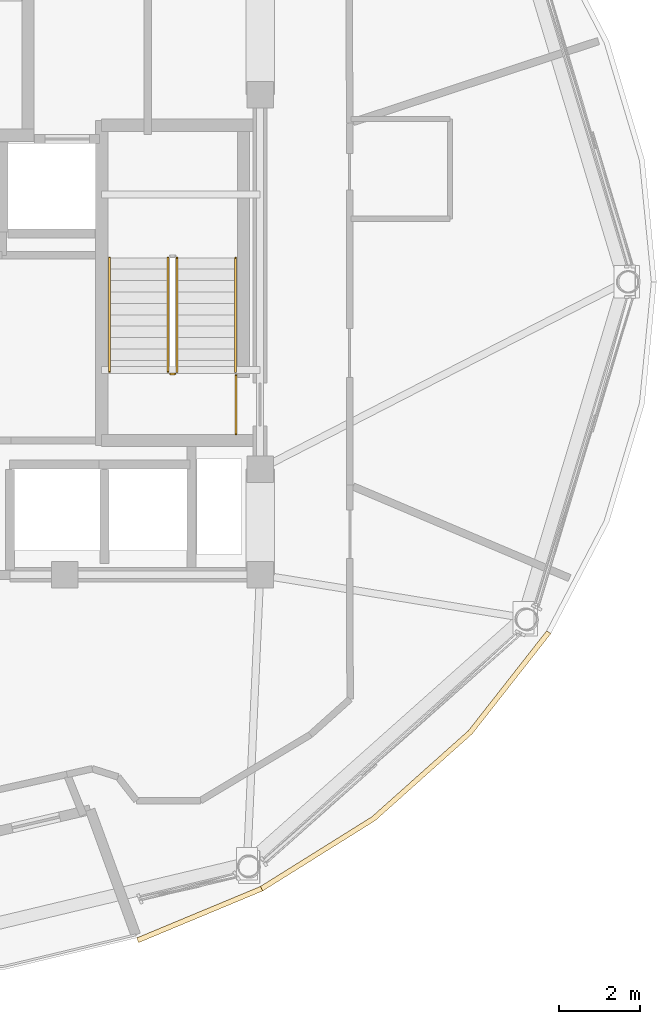
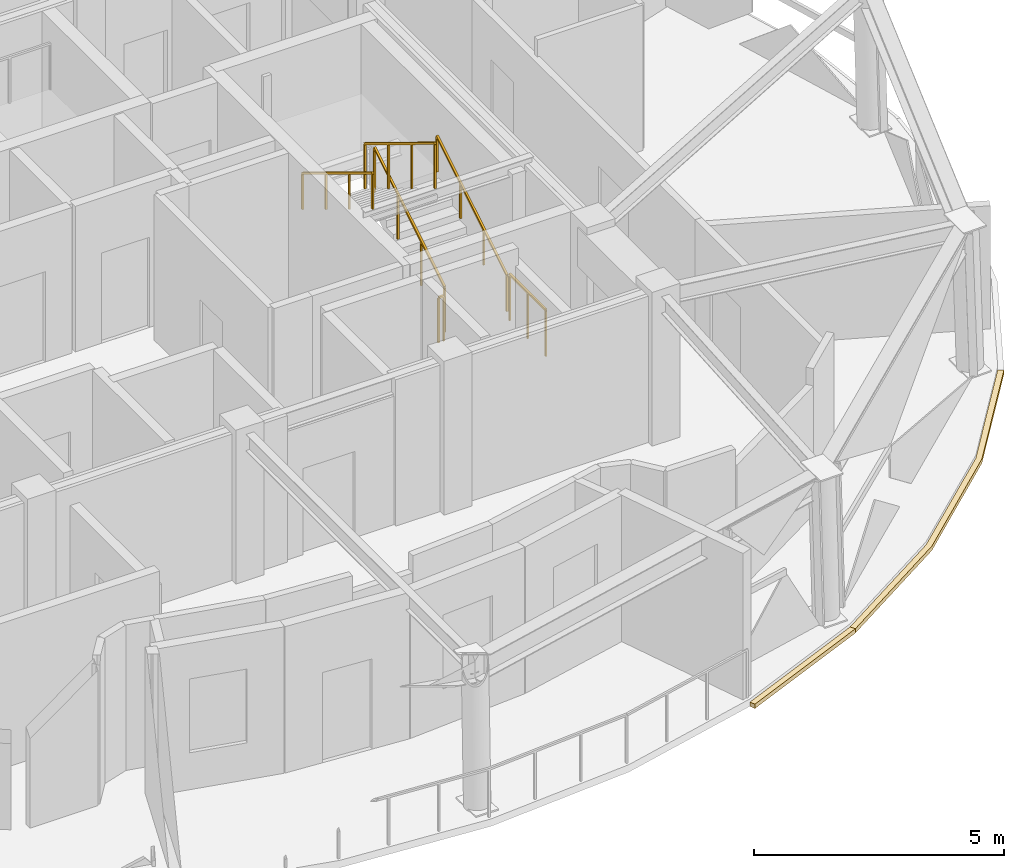
# One storey, part 11 of 13: 6 railings, 2 coverings.
"""IFC4 building model written with IfcOpenShell, lengths in metres."""

from ifc_helpers import new_model, si_unit, direction, frame, origin, origin_2d, place, context, subcontext, project, spatial, polyline, rectangle, outline, extrude, material, layer, layer_set, type_object, element, save


model = new_model("IFC4")

# Units and contexts
model_context = context("Model", 3, precision=1e-05, world=origin(), true_north=direction((0.0, 1.0)))
body_context = subcontext(model_context, "Body", "Model", "MODEL_VIEW")
ifc_project = project(units=[si_unit("LENGTHUNIT", "METRE"), si_unit("AREAUNIT", "SQUARE_METRE"), si_unit("VOLUMEUNIT", "CUBIC_METRE"), si_unit("PLANEANGLEUNIT", "RADIAN"), si_unit("MASSUNIT", "GRAM", prefix="KILO")], contexts=[model_context])

# Site, building, storey
site_placement = place(None, origin())
site = spatial("IfcSite", under=ifc_project, at=site_placement, CompositionType="ELEMENT")
building_placement = place(site_placement, origin())
building = spatial("IfcBuilding", under=site, at=building_placement, Name="Vantalir Tower", CompositionType="ELEMENT")
storey_placement = place(building_placement, frame((0.0, 0.0, 286.35009765625)))
storey = spatial("IfcBuildingStorey", under=building, at=storey_placement, Name="L72", CompositionType="ELEMENT", Elevation=286.35009765625)

# Coverings
ifc_material_1 = material(Name="Anodised champagne aluminium sill fascia", Category="aluminium")
ifc_layer = layer(ifc_material_1, 0.125)
ifc_layer_set = layer_set([ifc_layer], Name="Anodised champagne aluminium sill fascia")
covering_type = type_object("IfcCoveringType", Name="COV-SLAB-FASCIA-125", PredefinedType="CLADDING", material=ifc_layer_set)
covering_1_placement = place(storey_placement, frame((0.0, 0.0, -0.18017578125)))
element("IfcCovering", 1, at=covering_1_placement, inside=storey, type_object=covering_type, Name="L72 Perimeter Slab-Edge Sill Fascia 10", PredefinedType="CLADDING", context=body_context, shape_type="SweptSolid", body=[
    extrude(outline(polyline([(38.114990234375, 8.760986328125), (41.169921875, 10.033935546875), (41.10791015625, 10.14208984375), (38.072021484375, 8.87890625), (38.114990234375, 8.760986328125)])), origin(), (0.0, 0.0, 1.0), 0.10498046875),
])
covering_2_placement = place(storey_placement, frame((0.0, 0.0, -0.18017578125)))
element("IfcCovering", 2, at=covering_2_placement, inside=storey, type_object=covering_type, Name="L72 Perimeter Slab-Edge Sill Fascia 11", PredefinedType="CLADDING", context=body_context, shape_type="SweptSolid", body=[
    extrude(outline(polyline([(41.169921875, 10.033935546875), (43.931884765625, 11.761962890625), (46.31494140625, 13.89208984375), (48.2490234375, 16.35888671875), (48.14111328125, 16.422119140625), (46.219970703125, 13.971923828125), (43.85107421875, 11.85791015625), (41.10791015625, 10.14208984375), (41.169921875, 10.033935546875)])), origin(), (0.0, 0.0, 1.0), 0.10498046875),
])

# Railings
ifc_material_2 = material(Name="Anodised aluminium and stainless steel guard", Category="steel")
railing_type_1 = type_object("IfcRailingType", Name="RAL-GUARD-1120", PredefinedType="GUARDRAIL", material=ifc_material_2)
railing_1_placement = place(storey_placement, frame((39.06005859375, 22.7900390625, 0.17041015625)))
element("IfcRailing", 3, at=railing_1_placement, inside=storey, type_object=railing_type_1, Name="L72 ST2 stair guard 1", PredefinedType="GUARDRAIL", context=body_context, shape_type="SweptSolid", body=[
    extrude(rectangle(XDim=0.048095703125, YDim=0.048095703125, at=origin_2d()), frame((0.0, 0.0, 1.09619140625), z_axis=(0.0, 0.854169791009, 0.51999420009), x_axis=(-1.0, 0.0, 0.0)), (0.0, 0.0, 1.0), 3.278076171875),
    extrude(rectangle(XDim=0.0419921875, YDim=0.0419921875, at=origin_2d()), origin(), (0.0, 0.0, 1.0), 1.072021484375),
    extrude(rectangle(XDim=0.0419921875, YDim=0.0419921875, at=origin_2d()), frame((0.0, 0.933349609375, 0.568115234375)), (0.0, 0.0, 1.0), 1.072021484375),
    extrude(rectangle(XDim=0.0419921875, YDim=0.0419921875, at=origin_2d()), frame((0.0, 1.86669921875, 1.136474609375)), (0.0, 0.0, 1.0), 1.072021484375),
    extrude(rectangle(XDim=0.0419921875, YDim=0.0419921875, at=origin_2d()), frame((0.0, 2.800048828125, 1.70458984375)), (0.0, 0.0, 1.0), 1.072021484375),
])
railing_2_placement = place(storey_placement, frame((38.840087890625, 25.590087890625, 2.04541015625)))
element("IfcRailing", 4, at=railing_2_placement, inside=storey, type_object=railing_type_1, Name="L72 ST2 stair guard 3", PredefinedType="GUARDRAIL", context=body_context, shape_type="SweptSolid", body=[
    extrude(rectangle(XDim=0.048095703125, YDim=0.048095703125, at=origin_2d()), frame((0.0, 0.0, 1.09619140625), z_axis=(0.0, -0.854169791009, 0.51999420009), x_axis=(1.0, 0.0, 0.0)), (0.0, 0.0, 1.0), 3.278076171875),
    extrude(rectangle(XDim=0.0419921875, YDim=0.0419921875, at=origin_2d()), origin(), (0.0, 0.0, 1.0), 1.072021484375),
    extrude(rectangle(XDim=0.0419921875, YDim=0.0419921875, at=origin_2d()), frame((0.0, -0.933349609375, 0.568115234375)), (0.0, 0.0, 1.0), 1.072021484375),
    extrude(rectangle(XDim=0.0419921875, YDim=0.0419921875, at=origin_2d()), frame((0.0, -1.86669921875, 1.136474609375)), (0.0, 0.0, 1.0), 1.072021484375),
    extrude(rectangle(XDim=0.0419921875, YDim=0.0419921875, at=origin_2d()), frame((0.0, -2.800048828125, 1.70458984375)), (0.0, 0.0, 1.0), 1.072021484375),
])
railing_3_placement = place(storey_placement, frame((39.010009765625, 22.739990234375, 0.0)))
element("IfcRailing", 5, at=railing_3_placement, inside=storey, type_object=railing_type_1, Name="L72 ST2 stair guard 4", PredefinedType="GUARDRAIL", context=body_context, shape_type="SweptSolid", body=[
    extrude(rectangle(XDim=0.048095703125, YDim=0.048095703125, at=origin_2d()), frame((0.0, 0.0, 1.09619140625), z_axis=(-1.0, 0.0, 0.0), x_axis=(0.0, -1.0, 0.0)), (0.0, 0.0, 1.0), 0.1201171875),
    extrude(rectangle(XDim=0.0419921875, YDim=0.0419921875, at=origin_2d()), origin(), (0.0, 0.0, 1.0), 1.072021484375),
    extrude(rectangle(XDim=0.0419921875, YDim=0.0419921875, at=origin_2d()), frame((-0.1201171875, 0.0, 0.0)), (0.0, 0.0, 1.0), 1.072021484375),
])
railing_4_placement = place(storey_placement, frame((40.510009765625, 21.260009765625, 0.0)))
element("IfcRailing", 6, at=railing_4_placement, inside=storey, type_object=railing_type_1, Name="L72 Stair ST2 Doorway Landing Guard", PredefinedType="GUARDRAIL", context=body_context, shape_type="SweptSolid", body=[
    extrude(rectangle(XDim=0.048095703125, YDim=0.048095703125, at=origin_2d()), frame((0.0, 0.0, 1.1259765625), z_axis=(0.0, 1.0, 0.0), x_axis=(-1.0, 0.0, 0.0)), (0.0, 0.0, 1.0), 1.43994140625),
    extrude(rectangle(XDim=0.0419921875, YDim=0.0419921875, at=origin_2d()), origin(), (0.0, 0.0, 1.0), 1.101806640625),
    extrude(rectangle(XDim=0.0419921875, YDim=0.0419921875, at=origin_2d()), frame((0.0, 0.719970703125, 0.0)), (0.0, 0.0, 1.0), 1.101806640625),
    extrude(rectangle(XDim=0.0419921875, YDim=0.0419921875, at=origin_2d()), frame((0.0, 1.43994140625, 0.0)), (0.0, 0.0, 1.0), 1.101806640625),
])
ifc_material_3 = material(Name="Brushed stainless steel tubular handrail", Category="steel")
railing_type_2 = type_object("IfcRailingType", Name="RAL-HANDRAIL-900", PredefinedType="HANDRAIL", material=ifc_material_3)
railing_5_placement = place(storey_placement, frame((40.5, 22.7900390625, 0.17041015625)))
element("IfcRailing", 7, at=railing_5_placement, inside=storey, type_object=railing_type_2, Name="L72 ST2 stair handrail 1", PredefinedType="HANDRAIL", context=body_context, shape_type="SweptSolid", body=[
    extrude(rectangle(XDim=0.048095703125, YDim=0.048095703125, at=origin_2d()), frame((0.0, 0.0, 0.8759765625), z_axis=(0.0, 0.854169791009, 0.51999420009), x_axis=(-1.0, 0.0, 0.0)), (0.0, 0.0, 1.0), 3.278076171875),
    extrude(rectangle(XDim=0.0419921875, YDim=0.0419921875, at=origin_2d()), origin(), (0.0, 0.0, 1.0), 0.851806640625),
    extrude(rectangle(XDim=0.0419921875, YDim=0.0419921875, at=origin_2d()), frame((0.0, 0.933349609375, 0.568115234375)), (0.0, 0.0, 1.0), 0.851806640625),
    extrude(rectangle(XDim=0.0419921875, YDim=0.0419921875, at=origin_2d()), frame((0.0, 1.86669921875, 1.136474609375)), (0.0, 0.0, 1.0), 0.851806640625),
    extrude(rectangle(XDim=0.0419921875, YDim=0.0419921875, at=origin_2d()), frame((0.0, 2.800048828125, 1.70458984375)), (0.0, 0.0, 1.0), 0.851806640625),
])
railing_6_placement = place(storey_placement, frame((37.39990234375, 25.590087890625, 2.04541015625)))
element("IfcRailing", 8, at=railing_6_placement, inside=storey, type_object=railing_type_2, Name="L72 ST2 stair handrail 2", PredefinedType="HANDRAIL", context=body_context, shape_type="SweptSolid", body=[
    extrude(rectangle(XDim=0.048095703125, YDim=0.048095703125, at=origin_2d()), frame((0.0, 0.0, 0.8759765625), z_axis=(0.0, -0.854169791009, 0.51999420009), x_axis=(1.0, 0.0, 0.0)), (0.0, 0.0, 1.0), 3.278076171875),
    extrude(rectangle(XDim=0.0419921875, YDim=0.0419921875, at=origin_2d()), origin(), (0.0, 0.0, 1.0), 0.851806640625),
    extrude(rectangle(XDim=0.0419921875, YDim=0.0419921875, at=origin_2d()), frame((0.0, -0.933349609375, 0.568115234375)), (0.0, 0.0, 1.0), 0.851806640625),
    extrude(rectangle(XDim=0.0419921875, YDim=0.0419921875, at=origin_2d()), frame((0.0, -1.86669921875, 1.136474609375)), (0.0, 0.0, 1.0), 0.851806640625),
    extrude(rectangle(XDim=0.0419921875, YDim=0.0419921875, at=origin_2d()), frame((0.0, -2.800048828125, 1.70458984375)), (0.0, 0.0, 1.0), 0.851806640625),
])

save(model, "model.ifc")
